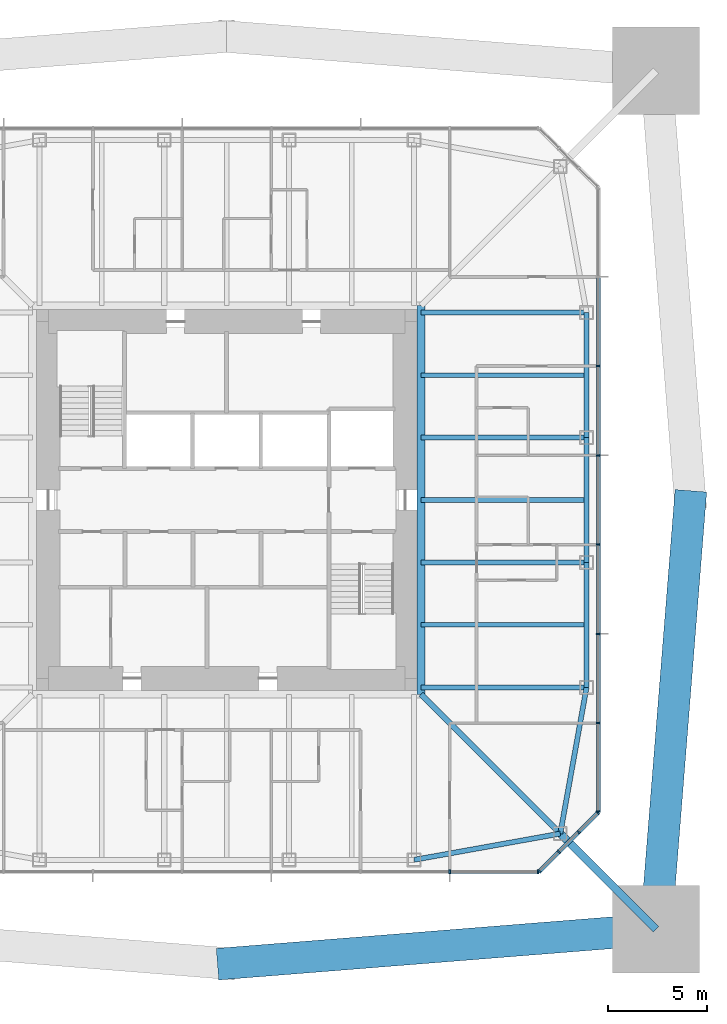
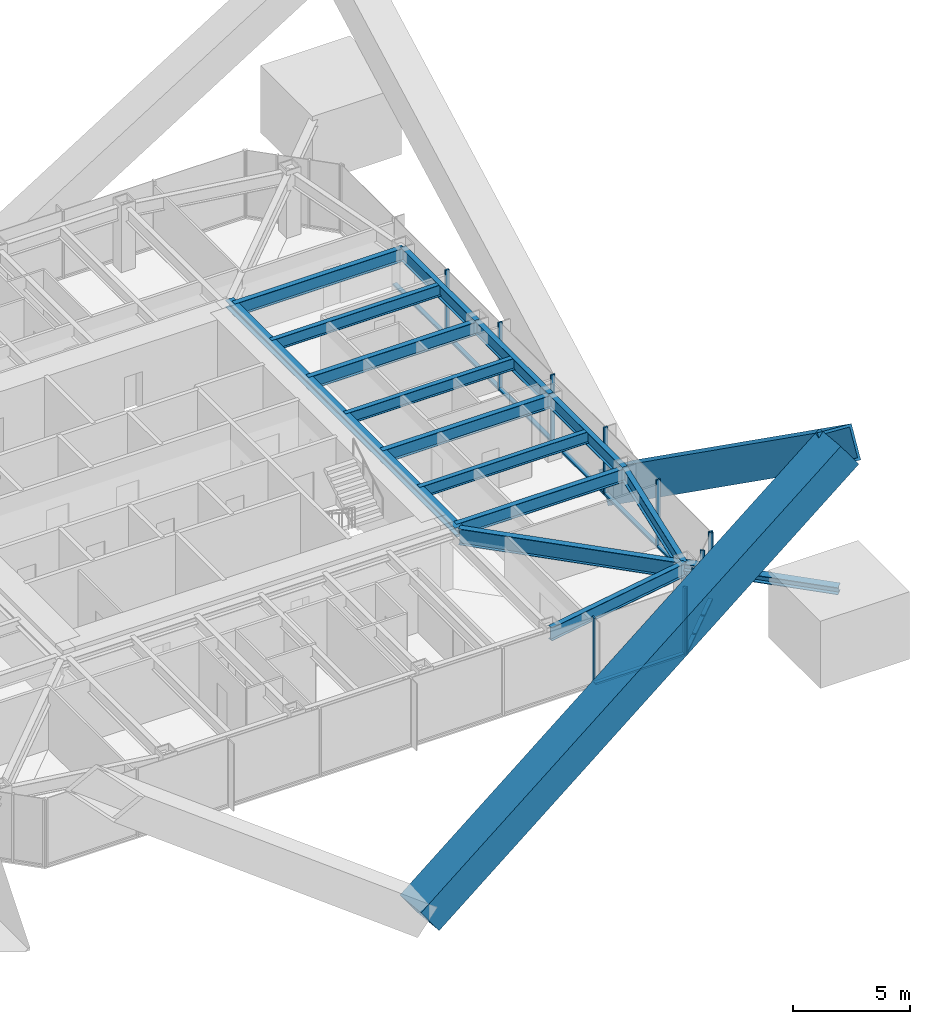
# One storey, part 4 of 13: 25 members, 14 beams, 3 elements without a shape of their own.
"""IFC4 building model written with IfcOpenShell, lengths in metres."""

import ifcopenshell
import ifcopenshell.guid

model = None  # the IFC model being written
_history = None  # IfcOwnerHistory: only IFC2X3 demands one
_inside = {}  # id of a spatial element -> (the spatial element, [elements in it])
_under = {}  # id of a project, library or spatial element -> (it, [spatial elements below it])
_declared = {}  # id of a project -> (the project, [libraries it declares])
_typed = {}  # id of a type object -> (the type object, [elements of that type])
_made_of = {}  # id of a material, layer set ... -> (it, [elements and type objects made of it])


def new_model(schema):
    """Start an empty IFC model of exactly this schema.

    Asked for "IFC4X3", IfcOpenShell would pick the latest addendum, in which some entities
    have other attributes; the version numbers below select the first issue.
    IFC2X3 requires an IfcOwnerHistory on every rooted entity: one is made here for all.
    """
    global model, _history
    if schema == "IFC4X3":
        model = ifcopenshell.file(schema_version=(4, 3, 0, 0))
    else:
        model = ifcopenshell.file(schema=schema)
    _inside.clear()
    _under.clear()
    _declared.clear()
    _typed.clear()
    _made_of.clear()
    _history = None
    if model.schema == "IFC2X3":
        org = make("IfcOrganization", Name="unknown")
        user = make(
            "IfcPersonAndOrganization",
            ThePerson=make("IfcPerson", FamilyName="unknown"),
            TheOrganization=org,
        )
        app = make(
            "IfcApplication",
            ApplicationDeveloper=org,
            Version="unknown",
            ApplicationFullName="unknown",
            ApplicationIdentifier="unknown",
        )
        _history = make(
            "IfcOwnerHistory",
            OwningUser=user,
            OwningApplication=app,
            ChangeAction="ADDED",
            CreationDate=0,
        )
    return model


def make(cls, **values):
    """One entity of the class cls with the attributes given. An attribute that is None is left unset."""
    return model.create_entity(
        cls, **{name: value for name, value in values.items() if value is not None}
    )


def rooted(cls, **values):
    """An entity with a GlobalId (a new one), such as an element, a storey or a relation."""
    return make(cls, GlobalId=ifcopenshell.guid.new(), OwnerHistory=_history, **values)


def si_unit(unit_type, name, prefix=None):
    """IfcSIUnit, for example si_unit("LENGTHUNIT", "METRE", prefix="MILLI")."""
    return make("IfcSIUnit", UnitType=unit_type, Prefix=prefix, Name=name)


def assignment(units):
    """IfcUnitAssignment: the units of a project."""
    return None if units is None else make("IfcUnitAssignment", Units=units)


def point(xyz):
    """IfcCartesianPoint."""
    return None if xyz is None else make("IfcCartesianPoint", Coordinates=xyz)


def direction(xyz):
    """IfcDirection."""
    return None if xyz is None else make("IfcDirection", DirectionRatios=xyz)


def frame(location, z_axis=None, x_axis=None):
    """IfcAxis2Placement3D, a coordinate frame: its origin and axes. An axis left out is left unset."""
    return make(
        "IfcAxis2Placement3D",
        Location=point(location),
        Axis=direction(z_axis),
        RefDirection=direction(x_axis),
    )


def frame_2d(location, x_axis=None):
    """IfcAxis2Placement2D, a coordinate frame in the plane: its origin and x axis."""
    return make(
        "IfcAxis2Placement2D", Location=point(location), RefDirection=direction(x_axis)
    )


def origin():
    """The frame at (0, 0, 0) with its axes left unset."""
    return frame((0.0, 0.0, 0.0))


def origin_2d():
    """The frame at (0, 0) in the plane with its x axis left unset."""
    return frame_2d((0.0, 0.0))


def place(relative_to, where):
    """IfcLocalPlacement: puts the frame where relative to a parent placement (None: the world)."""
    return make(
        "IfcLocalPlacement", PlacementRelTo=relative_to, RelativePlacement=where
    )


def context(
    kind, dimensions, precision=None, world=None, true_north=None, identifier=None
):
    """IfcGeometricRepresentationContext, for example the 3D "Model" context."""
    return make(
        "IfcGeometricRepresentationContext",
        ContextIdentifier=identifier,
        ContextType=kind,
        CoordinateSpaceDimension=dimensions,
        Precision=precision,
        WorldCoordinateSystem=world,
        TrueNorth=true_north,
    )


def subcontext(parent, identifier, kind, view, scale=None):
    """IfcGeometricRepresentationSubContext, for example "Body" below "Model"."""
    return make(
        "IfcGeometricRepresentationSubContext",
        ContextIdentifier=identifier,
        ContextType=kind,
        ParentContext=parent,
        TargetScale=scale,
        TargetView=view,
    )


def project(units=None, contexts=None):
    """IfcProject with its units and contexts."""
    return rooted(
        "IfcProject",
        Name="project",
        RepresentationContexts=contexts,
        UnitsInContext=assignment(units),
    )


def spatial(cls, under=None, at=None, **own):
    """A site, building, storey or space (cls), placed at a placement, below another one or the project."""
    s = rooted(cls, ObjectPlacement=at, **own)
    if under is not None:
        _under.setdefault(under.id(), (under, []))[1].append(s)
    return s


def profile(cls, at=None, kind="AREA", **sizes):
    """A parametric profile (cls). Its sizes go by their IFC names, for example OverallWidth=200.0."""
    return make(cls, ProfileType=kind, Position=at, **sizes)


def rectangle(**sizes):
    """IfcRectangleProfileDef."""
    return profile("IfcRectangleProfileDef", **sizes)


def hollow_rectangle(**sizes):
    """IfcRectangleHollowProfileDef."""
    return profile("IfcRectangleHollowProfileDef", **sizes)


def i_section(**sizes):
    """IfcIShapeProfileDef."""
    return profile("IfcIShapeProfileDef", **sizes)


def extrude(swept, where, along, depth):
    """IfcExtrudedAreaSolid: the profile swept, set in the frame where, extruded along a direction by depth."""
    return make(
        "IfcExtrudedAreaSolid",
        SweptArea=swept,
        Position=where,
        ExtrudedDirection=direction(along),
        Depth=depth,
    )


def shape(context_of_items, identifier, shape_type, items):
    """IfcShapeRepresentation: the items that make up one representation, for example the "Body"."""
    return make(
        "IfcShapeRepresentation",
        ContextOfItems=context_of_items,
        RepresentationIdentifier=identifier,
        RepresentationType=shape_type,
        Items=items,
    )


def material(Name=None, Category=None):
    """IfcMaterial."""
    return make("IfcMaterial", Name=Name, Category=Category)


def material_profile(
    of_material, cross_section, Name=None, Category=None, Priority=None
):
    """IfcMaterialProfile: a cross section and its material."""
    return make(
        "IfcMaterialProfile",
        Name=Name,
        Material=of_material,
        Profile=cross_section,
        Priority=Priority,
        Category=Category,
    )


def profile_set(profiles, Name=None, composite=None):
    """IfcMaterialProfileSet."""
    return make(
        "IfcMaterialProfileSet",
        Name=Name,
        MaterialProfiles=profiles,
        CompositeProfile=composite,
    )


def made_of(thing, what):
    """Note that an element or type object is made of a material, layer set ...; save() writes the relation."""
    if what is not None:
        _made_of.setdefault(what.id(), (what, []))[1].append(thing)
    return thing


def type_object(cls, material=None, **own):
    """A type object (cls), such as IfcWallType, which elements share."""
    return made_of(rooted(cls, **own), material)


def element(
    cls,
    number,
    at=None,
    inside=None,
    cuts=None,
    type_object=None,
    material=None,
    context=None,
    identifier="Body",
    shape_type=None,
    held_by="IfcProductDefinitionShape",
    body=None,
    shapes=None,
    **own,
):
    """One element of the class cls, such as IfcWall. Its Tag is "e" and its number.

    at: its placement. inside: the storey or other place that contains it. cuts: it is an
    opening in that element (IfcRelVoidsElement). A single representation is given by context,
    identifier, shape_type and body (its items); several are given by shapes. held_by: the class
    of the entity that holds the representations. save() writes the other relations.
    """
    e = rooted(cls, Tag="e%d" % number, ObjectPlacement=at, **own)
    if body is not None:
        shapes = [shape(context, identifier, shape_type, body)]
    if shapes is not None:
        e.Representation = make(held_by, Representations=shapes)
    if inside is not None:
        _inside.setdefault(inside.id(), (inside, []))[1].append(e)
    if cuts is not None:
        rooted(
            "IfcRelVoidsElement", RelatingBuildingElement=cuts, RelatedOpeningElement=e
        )
    if type_object is not None:
        _typed.setdefault(type_object.id(), (type_object, []))[1].append(e)
    return made_of(e, material)


def aggregate(whole, parts):
    """IfcRelAggregates: a whole, such as a stair, and the parts it consists of."""
    return rooted("IfcRelAggregates", RelatingObject=whole, RelatedObjects=parts)


def save(model, path):
    """Write the relations noted so far, then the file.

    IfcRelAggregates (storeys below a building ...), IfcRelContainedInSpatialStructure (elements
    in a storey), IfcRelDefinesByType, IfcRelAssociatesMaterial and IfcRelDeclares: one each for
    every whole, place, type object, material and project.
    """
    for whole, parts in _under.values():
        aggregate(whole, parts)
    for where, things in _inside.values():
        rooted(
            "IfcRelContainedInSpatialStructure",
            RelatedElements=things,
            RelatingStructure=where,
        )
    for kind, things in _typed.values():
        rooted("IfcRelDefinesByType", RelatedObjects=things, RelatingType=kind)
    for what, things in _made_of.values():
        rooted("IfcRelAssociatesMaterial", RelatedObjects=things, RelatingMaterial=what)
    for by, libraries in _declared.values():
        rooted("IfcRelDeclares", RelatingContext=by, RelatedDefinitions=libraries)
    model.write(path)


model = new_model("IFC4")

# Units and contexts
model_context = context("Model", 3, precision=1e-05, world=origin(), true_north=direction((0.0, 1.0)))
body_context = subcontext(model_context, "Body", "Model", "MODEL_VIEW")
ifc_project = project(units=[si_unit("LENGTHUNIT", "METRE"), si_unit("AREAUNIT", "SQUARE_METRE"), si_unit("VOLUMEUNIT", "CUBIC_METRE"), si_unit("PLANEANGLEUNIT", "RADIAN"), si_unit("MASSUNIT", "GRAM", prefix="KILO")], contexts=[model_context])

# Site, building, storey
site_placement = place(None, origin())
site = spatial("IfcSite", under=ifc_project, at=site_placement, CompositionType="ELEMENT")
building_placement = place(site_placement, origin())
building = spatial("IfcBuilding", under=site, at=building_placement, Name="Iwan Alto Co-Living Towers", CompositionType="ELEMENT")
storey_placement = place(building_placement, frame((0.0, 0.0, 167.0)))
storey = spatial("IfcBuildingStorey", under=building, at=storey_placement, Name="L45", CompositionType="ELEMENT", Elevation=167.0)

# Curtain wall, members
ifc_material_1 = material(Name="Bronze aluminium unitised frame", Category="aluminium")
curtain_wall_type_1 = type_object("IfcCurtainWallType", Name="CURTAIN WALL CW-A", PredefinedType="NOTDEFINED", material=ifc_material_1)
curtain_wall_1_placement = place(storey_placement, origin())
curtain_wall_1 = element("IfcCurtainWall", 1, at=curtain_wall_1_placement, inside=storey, type_object=curtain_wall_type_1, Name="T1 curtain wall S L45", PredefinedType="NOTDEFINED")
ifc_material_2 = material(Name="Aluminium 6063-T6 bronze anodised", Category="aluminium")
ifc_material_profile_1 = material_profile(ifc_material_2, rectangle(XDim=0.199951171875, YDim=0.080078125, at=origin_2d()), Name="AL 80X200")
ifc_profile_set_1 = profile_set([ifc_material_profile_1], Name="Aluminium 6063-T6 bronze anodised")
member_type_1 = type_object("IfcMemberType", Name="CW-A MULLION 80X200", PredefinedType="MULLION", material=ifc_profile_set_1)
member_1_placement = place(storey_placement, frame((11.25, -18.75, 0.0), z_axis=(0.0, 0.0, 1.0), x_axis=(0.0, 1.0, 0.0)))
member_1 = element("IfcMember", 2, at=member_1_placement, type_object=member_type_1, Name="CW-A mullion 7", PredefinedType="MULLION", context=body_context, shape_type="SweptSolid", body=[
    extrude(rectangle(XDim=0.199951171875, YDim=0.080078125, at=origin_2d()), origin(), (0.0, 0.0, 1.0), 3.5),
])
member_2_placement = place(storey_placement, frame((15.7099609375, -18.75, 0.0), z_axis=(0.0, 0.0, 1.0), x_axis=(0.0, 1.0, 0.0)))
member_2 = element("IfcMember", 3, at=member_2_placement, type_object=member_type_1, Name="CW-A mullion 8", PredefinedType="MULLION", context=body_context, shape_type="SweptSolid", body=[
    extrude(rectangle(XDim=0.199951171875, YDim=0.080078125, at=origin_2d()), origin(), (0.0, 0.0, 1.0), 3.5),
])

curtain_wall_2_placement = place(storey_placement, origin())
curtain_wall_2 = element("IfcCurtainWall", 4, at=curtain_wall_2_placement, inside=storey, type_object=curtain_wall_type_1, Name="T1 curtain wall E L45", PredefinedType="NOTDEFINED")
member_3_placement = place(storey_placement, frame((18.75, -15.7099609375, 0.0), z_axis=(0.0, 0.0, 1.0), x_axis=(-1.0, 0.0, 0.0)))
member_3 = element("IfcMember", 5, at=member_3_placement, type_object=member_type_1, Name="CW-A mullion 1", PredefinedType="MULLION", context=body_context, shape_type="SweptSolid", body=[
    extrude(rectangle(XDim=0.199951171875, YDim=0.080078125, at=origin_2d()), origin(), (0.0, 0.0, 1.0), 3.5),
])
member_4_placement = place(storey_placement, frame((18.75, -11.25, 0.0), z_axis=(0.0, 0.0, 1.0), x_axis=(-1.0, 0.0, 0.0)))
member_4 = element("IfcMember", 6, at=member_4_placement, type_object=member_type_1, Name="CW-A mullion 2", PredefinedType="MULLION", context=body_context, shape_type="SweptSolid", body=[
    extrude(rectangle(XDim=0.199951171875, YDim=0.080078125, at=origin_2d()), origin(), (0.0, 0.0, 1.0), 3.5),
])
member_5_placement = place(storey_placement, frame((18.75, -6.75, 0.0), z_axis=(0.0, 0.0, 1.0), x_axis=(-1.0, 0.0, 0.0)))
member_5 = element("IfcMember", 7, at=member_5_placement, type_object=member_type_1, Name="CW-A mullion 3", PredefinedType="MULLION", context=body_context, shape_type="SweptSolid", body=[
    extrude(rectangle(XDim=0.199951171875, YDim=0.080078125, at=origin_2d()), origin(), (0.0, 0.0, 1.0), 3.5),
])
member_6_placement = place(storey_placement, frame((18.75, -2.25, 0.0), z_axis=(0.0, 0.0, 1.0), x_axis=(-1.0, 0.0, 0.0)))
member_6 = element("IfcMember", 8, at=member_6_placement, type_object=member_type_1, Name="CW-A mullion 4", PredefinedType="MULLION", context=body_context, shape_type="SweptSolid", body=[
    extrude(rectangle(XDim=0.199951171875, YDim=0.080078125, at=origin_2d()), origin(), (0.0, 0.0, 1.0), 3.5),
])
member_7_placement = place(storey_placement, frame((18.75, 2.25, 0.0), z_axis=(0.0, 0.0, 1.0), x_axis=(-1.0, 0.0, 0.0)))
member_7 = element("IfcMember", 9, at=member_7_placement, type_object=member_type_1, Name="CW-A mullion 5", PredefinedType="MULLION", context=body_context, shape_type="SweptSolid", body=[
    extrude(rectangle(XDim=0.199951171875, YDim=0.080078125, at=origin_2d()), origin(), (0.0, 0.0, 1.0), 3.5),
])
member_8_placement = place(storey_placement, frame((18.75, 6.75, 0.0), z_axis=(0.0, 0.0, 1.0), x_axis=(-1.0, 0.0, 0.0)))
member_8 = element("IfcMember", 10, at=member_8_placement, type_object=member_type_1, Name="CW-A mullion 6", PredefinedType="MULLION", context=body_context, shape_type="SweptSolid", body=[
    extrude(rectangle(XDim=0.199951171875, YDim=0.080078125, at=origin_2d()), origin(), (0.0, 0.0, 1.0), 3.5),
])

# Member
ifc_material_3 = material(Name="Aluminium 6063-T6 bronze anodised", Category="aluminium")
ifc_material_profile_2 = material_profile(ifc_material_3, rectangle(XDim=0.199951171875, YDim=0.10009765625, at=origin_2d()), Name="AL 200X100")
ifc_profile_set_2 = profile_set([ifc_material_profile_2], Name="Aluminium 6063-T6 bronze anodised")
member_type_2 = type_object("IfcMemberType", Name="CW-A TRANSOM 200X100", PredefinedType="USERDEFINED", material=ifc_profile_set_2)
member_9_placement = place(storey_placement, frame((11.2900390625, -18.75, 0.050048828125), z_axis=(1.0, 0.0, 0.0), x_axis=(0.0, 1.0, 0.0)))
member_9 = element("IfcMember", 11, at=member_9_placement, type_object=member_type_2, Name="CW-A transom 7.1", ObjectType="TRANSOM", PredefinedType="USERDEFINED", context=body_context, shape_type="SweptSolid", body=[
    extrude(rectangle(XDim=0.199951171875, YDim=0.10009765625, at=origin_2d()), origin(), (0.0, 0.0, 1.0), 4.3798828125),
])

aggregate(curtain_wall_1, [member_1, member_2, member_9])

member_10_placement = place(storey_placement, frame((18.75, -15.669921875, 0.050048828125), z_axis=(0.0, 1.0, 0.0), x_axis=(-1.0, 0.0, 0.0)))
member_10 = element("IfcMember", 12, at=member_10_placement, type_object=member_type_2, Name="CW-A transom 1.1", ObjectType="TRANSOM", PredefinedType="USERDEFINED", context=body_context, shape_type="SweptSolid", body=[
    extrude(rectangle(XDim=0.199951171875, YDim=0.10009765625, at=origin_2d()), origin(), (0.0, 0.0, 1.0), 4.3798828125),
])

member_11_placement = place(storey_placement, frame((18.75, -11.2099609375, 0.050048828125), z_axis=(0.0, 1.0, 0.0), x_axis=(-1.0, 0.0, 0.0)))
member_11 = element("IfcMember", 13, at=member_11_placement, type_object=member_type_2, Name="CW-A transom 2.1", ObjectType="TRANSOM", PredefinedType="USERDEFINED", context=body_context, shape_type="SweptSolid", body=[
    extrude(rectangle(XDim=0.199951171875, YDim=0.10009765625, at=origin_2d()), origin(), (0.0, 0.0, 1.0), 4.419921875),
])

member_12_placement = place(storey_placement, frame((18.75, -6.7099609375, 0.050048828125), z_axis=(0.0, 1.0, 0.0), x_axis=(-1.0, 0.0, 0.0)))
member_12 = element("IfcMember", 14, at=member_12_placement, type_object=member_type_2, Name="CW-A transom 3.1", ObjectType="TRANSOM", PredefinedType="USERDEFINED", context=body_context, shape_type="SweptSolid", body=[
    extrude(rectangle(XDim=0.199951171875, YDim=0.10009765625, at=origin_2d()), origin(), (0.0, 0.0, 1.0), 4.419921875),
])

member_13_placement = place(storey_placement, frame((18.75, -2.2099609375, 0.050048828125), z_axis=(0.0, 1.0, 0.0), x_axis=(-1.0, 0.0, 0.0)))
member_13 = element("IfcMember", 15, at=member_13_placement, type_object=member_type_2, Name="CW-A transom 4.1", ObjectType="TRANSOM", PredefinedType="USERDEFINED", context=body_context, shape_type="SweptSolid", body=[
    extrude(rectangle(XDim=0.199951171875, YDim=0.10009765625, at=origin_2d()), origin(), (0.0, 0.0, 1.0), 4.419921875),
])

member_14_placement = place(storey_placement, frame((18.75, 2.2900390625, 0.050048828125), z_axis=(0.0, 1.0, 0.0), x_axis=(-1.0, 0.0, 0.0)))
member_14 = element("IfcMember", 16, at=member_14_placement, type_object=member_type_2, Name="CW-A transom 5.1", ObjectType="TRANSOM", PredefinedType="USERDEFINED", context=body_context, shape_type="SweptSolid", body=[
    extrude(rectangle(XDim=0.199951171875, YDim=0.10009765625, at=origin_2d()), origin(), (0.0, 0.0, 1.0), 4.419921875),
])

member_15_placement = place(storey_placement, frame((18.75, 6.7900390625, 0.050048828125), z_axis=(0.0, 1.0, 0.0), x_axis=(-1.0, 0.0, 0.0)))
member_15 = element("IfcMember", 17, at=member_15_placement, type_object=member_type_2, Name="CW-A transom 6.1", ObjectType="TRANSOM", PredefinedType="USERDEFINED", context=body_context, shape_type="SweptSolid", body=[
    extrude(rectangle(XDim=0.199951171875, YDim=0.10009765625, at=origin_2d()), origin(), (0.0, 0.0, 1.0), 4.419921875),
])

aggregate(curtain_wall_2, [member_3, member_4, member_5, member_6, member_7, member_8, member_10, member_11, member_12, member_13, member_14, member_15])

# Curtain wall, members
ifc_material_4 = material(Name="Bronze aluminium unitised frame", Category="aluminium")
curtain_wall_type_2 = type_object("IfcCurtainWallType", Name="CURTAIN WALL CW-B", PredefinedType="NOTDEFINED", material=ifc_material_4)
curtain_wall_3_placement = place(storey_placement, origin())
curtain_wall_3 = element("IfcCurtainWall", 18, at=curtain_wall_3_placement, inside=storey, type_object=curtain_wall_type_2, Name="T1 chamfer curtain wall SE L45", PredefinedType="NOTDEFINED")
ifc_material_5 = material(Name="Aluminium 6063-T6 bronze anodised", Category="aluminium")
ifc_material_profile_3 = material_profile(ifc_material_5, rectangle(XDim=0.199951171875, YDim=0.080078125, at=origin_2d()), Name="AL 80X200")
ifc_profile_set_3 = profile_set([ifc_material_profile_3], Name="Aluminium 6063-T6 bronze anodised")
member_type_3 = type_object("IfcMemberType", Name="CW-B MULLION 80X200", PredefinedType="MULLION", material=ifc_profile_set_3)
member_16_placement = place(storey_placement, frame((15.7783203125, -18.7216796875, 0.0), z_axis=(0.0, 0.0, 1.0), x_axis=(-0.707106781187, 0.707106781187, 0.0)))
member_16 = element("IfcMember", 19, at=member_16_placement, type_object=member_type_3, Name="CW-B mullion 1", PredefinedType="MULLION", context=body_context, shape_type="SweptSolid", body=[
    extrude(rectangle(XDim=0.199951171875, YDim=0.080078125, at=origin_2d()), origin(), (0.0, 0.0, 1.0), 3.5),
])
member_17_placement = place(storey_placement, frame((16.75, -17.75, 0.0), z_axis=(0.0, 0.0, 1.0), x_axis=(-0.707106781187, 0.707106781187, 0.0)))
member_17 = element("IfcMember", 20, at=member_17_placement, type_object=member_type_3, Name="CW-B mullion 2", PredefinedType="MULLION", context=body_context, shape_type="SweptSolid", body=[
    extrude(rectangle(XDim=0.199951171875, YDim=0.080078125, at=origin_2d()), origin(), (0.0, 0.0, 1.0), 3.5),
])
member_18_placement = place(storey_placement, frame((17.75, -16.75, 0.0), z_axis=(0.0, 0.0, 1.0), x_axis=(-0.707106781187, 0.707106781187, 0.0)))
member_18 = element("IfcMember", 21, at=member_18_placement, type_object=member_type_3, Name="CW-B mullion 3", PredefinedType="MULLION", context=body_context, shape_type="SweptSolid", body=[
    extrude(rectangle(XDim=0.199951171875, YDim=0.080078125, at=origin_2d()), origin(), (0.0, 0.0, 1.0), 3.5),
])
member_19_placement = place(storey_placement, frame((18.7216796875, -15.7783203125, 0.0), z_axis=(0.0, 0.0, 1.0), x_axis=(-0.707106781187, 0.707106781187, 0.0)))
member_19 = element("IfcMember", 22, at=member_19_placement, type_object=member_type_3, Name="CW-B mullion 4", PredefinedType="MULLION", context=body_context, shape_type="SweptSolid", body=[
    extrude(rectangle(XDim=0.199951171875, YDim=0.080078125, at=origin_2d()), origin(), (0.0, 0.0, 1.0), 3.5),
])
ifc_material_6 = material(Name="Aluminium 6063-T6 bronze anodised", Category="aluminium")
ifc_material_profile_4 = material_profile(ifc_material_6, rectangle(XDim=0.199951171875, YDim=0.10009765625, at=origin_2d()), Name="AL 200X100")
ifc_profile_set_4 = profile_set([ifc_material_profile_4], Name="Aluminium 6063-T6 bronze anodised")
member_type_4 = type_object("IfcMemberType", Name="CW-B TRANSOM 200X100", PredefinedType="USERDEFINED", material=ifc_profile_set_4)
member_20_placement = place(storey_placement, frame((15.806640625, -18.693359375, 0.050048828125), z_axis=(0.707106781187, 0.707106781187, 0.0), x_axis=(-0.707106781187, 0.707106781187, 0.0)))
member_20 = element("IfcMember", 23, at=member_20_placement, type_object=member_type_4, Name="CW-B transom 1.1", ObjectType="TRANSOM", PredefinedType="USERDEFINED", context=body_context, shape_type="SweptSolid", body=[
    extrude(rectangle(XDim=0.199951171875, YDim=0.10009765625, at=origin_2d()), origin(), (0.0, 0.0, 1.0), 1.2939453125),
])
member_21_placement = place(storey_placement, frame((16.7783203125, -17.7216796875, 0.050048828125), z_axis=(0.707106781187, 0.707106781187, 0.0), x_axis=(-0.707106781187, 0.707106781187, 0.0)))
member_21 = element("IfcMember", 24, at=member_21_placement, type_object=member_type_4, Name="CW-B transom 2.1", ObjectType="TRANSOM", PredefinedType="USERDEFINED", context=body_context, shape_type="SweptSolid", body=[
    extrude(rectangle(XDim=0.199951171875, YDim=0.10009765625, at=origin_2d()), origin(), (0.0, 0.0, 1.0), 1.334228515625),
])
member_22_placement = place(storey_placement, frame((17.7783203125, -16.7216796875, 0.050048828125), z_axis=(0.707106781187, 0.707106781187, 0.0), x_axis=(-0.707106781187, 0.707106781187, 0.0)))
member_22 = element("IfcMember", 25, at=member_22_placement, type_object=member_type_4, Name="CW-B transom 3.1", ObjectType="TRANSOM", PredefinedType="USERDEFINED", context=body_context, shape_type="SweptSolid", body=[
    extrude(rectangle(XDim=0.199951171875, YDim=0.10009765625, at=origin_2d()), origin(), (0.0, 0.0, 1.0), 1.2939453125),
])
aggregate(curtain_wall_3, [member_16, member_17, member_18, member_19, member_20, member_21, member_22])

# Beams
ifc_material_7 = material(Name="Steel ASTM A992 Gr 50", Category="steel")
ifc_material_profile_5 = material_profile(ifc_material_7, i_section(OverallWidth=0.398681640625, OverallDepth=0.385986328125, WebThickness=0.02099609375, FlangeThickness=0.033203125, at=origin_2d()), Name="W14X176")
ifc_profile_set_5 = profile_set([ifc_material_profile_5], Name="Steel ASTM A992 Gr 50")
beam_type_1 = type_object("IfcBeamType", Name="T1 CORE LEDGER BEAM W14X176", PredefinedType="BEAM", material=ifc_profile_set_5)
beam_1_placement = place(storey_placement, frame((9.79931640625, -9.79931640625, 3.076904296875), z_axis=(0.0, 1.0, 0.0), x_axis=(-1.0, 0.0, 0.0)))
element("IfcBeam", 26, at=beam_1_placement, inside=storey, type_object=beam_type_1, Name="T1 core ledger beam E L46", PredefinedType="BEAM", context=body_context, shape_type="SweptSolid", body=[
    extrude(i_section(OverallWidth=0.398681640625, OverallDepth=0.385986328125, WebThickness=0.02099609375, FlangeThickness=0.033203125, at=origin_2d()), origin(), (0.0, 0.0, 1.0), 19.5986328125),
])
ifc_material_8 = material(Name="Steel ASTM A992 Gr 50", Category="steel")
ifc_material_profile_6 = material_profile(ifc_material_8, i_section(OverallWidth=0.2919921875, OverallDepth=0.8408203125, WebThickness=0.0146484375, FlangeThickness=0.021728515625, at=origin_2d()), Name="W33X130")
ifc_profile_set_6 = profile_set([ifc_material_profile_6], Name="Steel ASTM A992 Gr 50")
beam_type_2 = type_object("IfcBeamType", Name="T1 CORNER GIRDER W33X130", PredefinedType="BEAM", material=ifc_profile_set_6)
beam_2_placement = place(storey_placement, frame((16.82568359375, -16.82568359375, 2.849609375), z_axis=(-0.707106781187, 0.707106781187, 0.0), x_axis=(-0.707106781187, -0.707106781187, 0.0)))
element("IfcBeam", 27, at=beam_2_placement, inside=storey, type_object=beam_type_2, Name="T1 corner girder CSE L46", PredefinedType="BEAM", context=body_context, shape_type="SweptSolid", body=[
    extrude(i_section(OverallWidth=0.2919921875, OverallDepth=0.8408203125, WebThickness=0.0146484375, FlangeThickness=0.021728515625, at=origin_2d()), origin(), (0.0, 0.0, 1.0), 9.936767578125),
])
ifc_material_9 = material(Name="Steel ASTM A992 Gr 50", Category="steel")
ifc_material_profile_7 = material_profile(ifc_material_9, i_section(OverallWidth=0.25390625, OverallDepth=0.683349609375, WebThickness=0.012451171875, FlangeThickness=0.018798828125, at=origin_2d()), Name="W27X94")
ifc_profile_set_7 = profile_set([ifc_material_profile_7], Name="Steel ASTM A992 Gr 50")
beam_type_3 = type_object("IfcBeamType", Name="T1 EDGE BEAM W27X94", PredefinedType="BEAM", material=ifc_profile_set_7)
for number, where, z_axis, x_axis, name in (
    (28, (9.449951171875, -18.14990234375, 2.928466796875), (0.98426263553, 0.17671181143, 0.0), (-0.17671181143, 0.98426263553, 0.0), "T1 edge beam S4 L46"),
    (29, (16.82568359375, -16.82568359375, 2.928466796875), (0.17671181143, 0.98426263553, 0.0), (-0.98426263553, 0.17671181143, 0.0), "T1 edge beam CSE L46"),
):
    element("IfcBeam", number, at=place(storey_placement, frame(where, z_axis=z_axis, x_axis=x_axis)), inside=storey, type_object=beam_type_3, Name=name, PredefinedType="BEAM", context=body_context, shape_type="SweptSolid", body=[
        extrude(i_section(OverallWidth=0.25390625, OverallDepth=0.683349609375, WebThickness=0.012451171875, FlangeThickness=0.018798828125, at=origin_2d()), origin(), (0.0, 0.0, 1.0), 7.49365234375),
    ])
beam_3_placement = place(storey_placement, frame((18.14990234375, -9.449951171875, 2.928466796875), z_axis=(0.0, 1.0, 0.0), x_axis=(-1.0, 0.0, 0.0)))
element("IfcBeam", 30, at=beam_3_placement, inside=storey, type_object=beam_type_3, Name="T1 edge beam E1 L46", PredefinedType="BEAM", context=body_context, shape_type="SweptSolid", body=[
    extrude(i_section(OverallWidth=0.25390625, OverallDepth=0.683349609375, WebThickness=0.012451171875, FlangeThickness=0.018798828125, at=origin_2d()), origin(), (0.0, 0.0, 1.0), 6.300048828125),
])
beam_4_placement = place(storey_placement, frame((18.14990234375, -3.14990234375, 2.928466796875), z_axis=(0.0, 1.0, 0.0), x_axis=(-1.0, 0.0, 0.0)))
element("IfcBeam", 31, at=beam_4_placement, inside=storey, type_object=beam_type_3, Name="T1 edge beam E2 L46", PredefinedType="BEAM", context=body_context, shape_type="SweptSolid", body=[
    extrude(i_section(OverallWidth=0.25390625, OverallDepth=0.683349609375, WebThickness=0.012451171875, FlangeThickness=0.018798828125, at=origin_2d()), origin(), (0.0, 0.0, 1.0), 6.2998046875),
])
beam_5_placement = place(storey_placement, frame((18.14990234375, 3.14990234375, 2.928466796875), z_axis=(0.0, 1.0, 0.0), x_axis=(-1.0, 0.0, 0.0)))
element("IfcBeam", 32, at=beam_5_placement, inside=storey, type_object=beam_type_3, Name="T1 edge beam E3 L46", PredefinedType="BEAM", context=body_context, shape_type="SweptSolid", body=[
    extrude(i_section(OverallWidth=0.25390625, OverallDepth=0.683349609375, WebThickness=0.012451171875, FlangeThickness=0.018798828125, at=origin_2d()), origin(), (0.0, 0.0, 1.0), 6.300048828125),
])

# Members
ifc_material_10 = material(Name="Steel ASTM A572 Gr 42", Category="steel")
ifc_material_profile_8 = material_profile(ifc_material_10, hollow_rectangle(XDim=1.60009765625, YDim=1.60009765625, WallThickness=0.1201171875, at=origin_2d()), Name="BOX 1600X1600X120")
ifc_profile_set_8 = profile_set([ifc_material_profile_8], Name="Steel ASTM A572 Gr 42")
member_type_5 = type_object("IfcMemberType", Name="T1 MEGA BRACE BOX 1600X1600X120", PredefinedType="BRACE", material=ifc_profile_set_8)
for number, where, z_axis, x_axis, name in (
    (33, (0.0, -23.37548828125, -5.14501953125), (0.808833616819, 0.064467353838, 0.584493062913), (-0.07945212803, 0.996838682712, 0.0), "T1 mega brace Z3A S 1 upper"),
    (34, (23.37548828125, 0.0, -5.14501953125), (-0.064467353838, -0.808833616819, 0.584493062913), (0.996838682712, -0.07945212803, 0.0), "T1 mega brace Z3A E 2 upper"),
):
    element("IfcMember", number, at=place(storey_placement, frame(where, z_axis=z_axis, x_axis=x_axis)), inside=storey, type_object=member_type_5, Name=name, PredefinedType="BRACE", context=body_context, shape_type="SweptSolid", body=[
        extrude(hollow_rectangle(XDim=1.60009765625, YDim=1.60009765625, WallThickness=0.1201171875, at=origin_2d()), origin(), (0.0, 0.0, 1.0), 26.766845703125),
    ])
ifc_material_11 = material(Name="Steel ASTM A992 Gr 50", Category="steel")
ifc_material_profile_9 = material_profile(ifc_material_11, i_section(OverallWidth=0.393798828125, OverallDepth=0.3759765625, WebThickness=0.017333984375, FlangeThickness=0.027587890625, at=origin_2d()), Name="W14X145")
ifc_profile_set_9 = profile_set([ifc_material_profile_9], Name="Steel ASTM A992 Gr 50")
member_type_6 = type_object("IfcMemberType", Name="T1 MEGA COLUMN FLOOR TIE W14X145", PredefinedType="STRUT", material=ifc_profile_set_9)
member_23_placement = place(storey_placement, frame((21.64990234375, -21.64990234375, 3.08203125), z_axis=(-0.707106781187, 0.707106781187, 0.0), x_axis=(-0.707106781187, -0.707106781187, 0.0)))
element("IfcMember", 35, at=member_23_placement, inside=storey, type_object=member_type_6, Name="T1 mega column floor tie SE L46", PredefinedType="STRUT", context=body_context, shape_type="SweptSolid", body=[
    extrude(i_section(OverallWidth=0.393798828125, OverallDepth=0.3759765625, WebThickness=0.017333984375, FlangeThickness=0.027587890625, at=origin_2d()), origin(), (0.0, 0.0, 1.0), 6.822509765625),
])

# Beams
ifc_material_12 = material(Name="Steel ASTM A992 Gr 50", Category="steel")
ifc_material_profile_10 = material_profile(ifc_material_12, i_section(OverallWidth=0.25390625, OverallDepth=0.683349609375, WebThickness=0.012451171875, FlangeThickness=0.018798828125, at=origin_2d()), Name="W27X94")
ifc_profile_set_10 = profile_set([ifc_material_profile_10], Name="Steel ASTM A992 Gr 50")
beam_type_4 = type_object("IfcBeamType", Name="T1 RADIAL BEAM W27X94", PredefinedType="BEAM", material=ifc_profile_set_10)
for number, where, z_axis, x_axis, name in (
    (36, (18.14990234375, -9.449951171875, 2.928466796875), (-1.0, 0.0, 0.0), (0.0, -1.0, 0.0), "T1 radial beam E1 L46"),
    (37, (18.14990234375, -3.14990234375, 2.928466796875), (-1.0, 0.0, 0.0), (0.0, -1.0, 0.0), "T1 radial beam E2 L46"),
    (38, (18.14990234375, 3.14990234375, 2.928466796875), (-1.0, 0.0, 0.0), (0.0, -1.0, 0.0), "T1 radial beam E3 L46"),
    (39, (18.14990234375, 9.449951171875, 2.928466796875), (-1.0, 0.0, 0.0), (0.0, -1.0, 0.0), "T1 radial beam E4 L46"),
):
    element("IfcBeam", number, at=place(storey_placement, frame(where, z_axis=z_axis, x_axis=x_axis)), inside=storey, type_object=beam_type_4, Name=name, PredefinedType="BEAM", context=body_context, shape_type="SweptSolid", body=[
        extrude(i_section(OverallWidth=0.25390625, OverallDepth=0.683349609375, WebThickness=0.012451171875, FlangeThickness=0.018798828125, at=origin_2d()), origin(), (0.0, 0.0, 1.0), 8.3505859375),
    ])
ifc_material_13 = material(Name="Steel ASTM A992 Gr 50", Category="steel")
ifc_material_profile_11 = material_profile(ifc_material_13, i_section(OverallWidth=0.228271484375, OverallDepth=0.607177734375, WebThickness=0.01123046875, FlangeThickness=0.017333984375, at=origin_2d()), Name="W24X76")
ifc_profile_set_11 = profile_set([ifc_material_profile_11], Name="Steel ASTM A992 Gr 50")
beam_type_5 = type_object("IfcBeamType", Name="T1 SECONDARY BEAM W24X76", PredefinedType="JOIST", material=ifc_profile_set_11)
for number, where, z_axis, x_axis, name in (
    (40, (18.14990234375, -6.300048828125, 2.966552734375), (-1.0, 0.0, 0.0), (0.0, -1.0, 0.0), "T1 secondary beam E1 L46"),
    (41, (18.14990234375, 0.0, 2.966552734375), (-1.0, 0.0, 0.0), (0.0, -1.0, 0.0), "T1 secondary beam E2 L46"),
    (42, (18.14990234375, 6.300048828125, 2.966552734375), (-1.0, 0.0, 0.0), (0.0, -1.0, 0.0), "T1 secondary beam E3 L46"),
):
    element("IfcBeam", number, at=place(storey_placement, frame(where, z_axis=z_axis, x_axis=x_axis)), inside=storey, type_object=beam_type_5, Name=name, PredefinedType="JOIST", context=body_context, shape_type="SweptSolid", body=[
        extrude(i_section(OverallWidth=0.228271484375, OverallDepth=0.607177734375, WebThickness=0.01123046875, FlangeThickness=0.017333984375, at=origin_2d()), origin(), (0.0, 0.0, 1.0), 8.3505859375),
    ])

save(model, "model.ifc")
